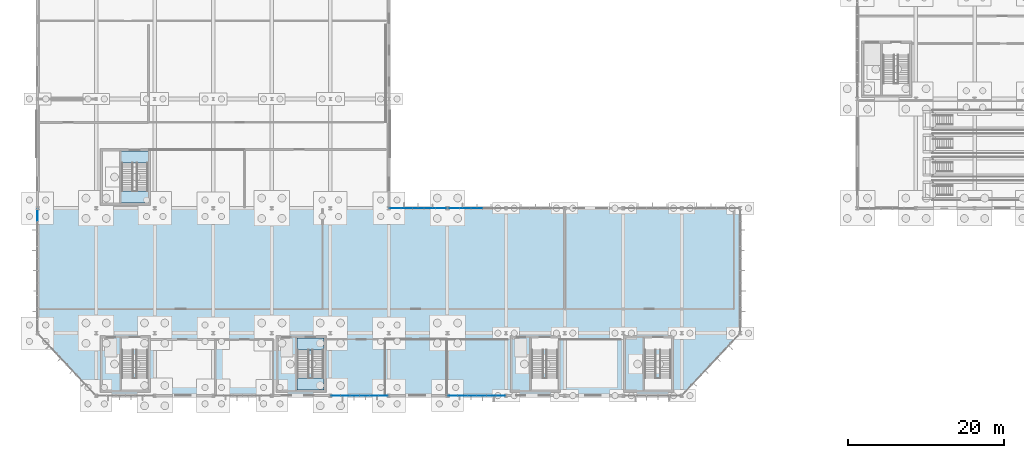
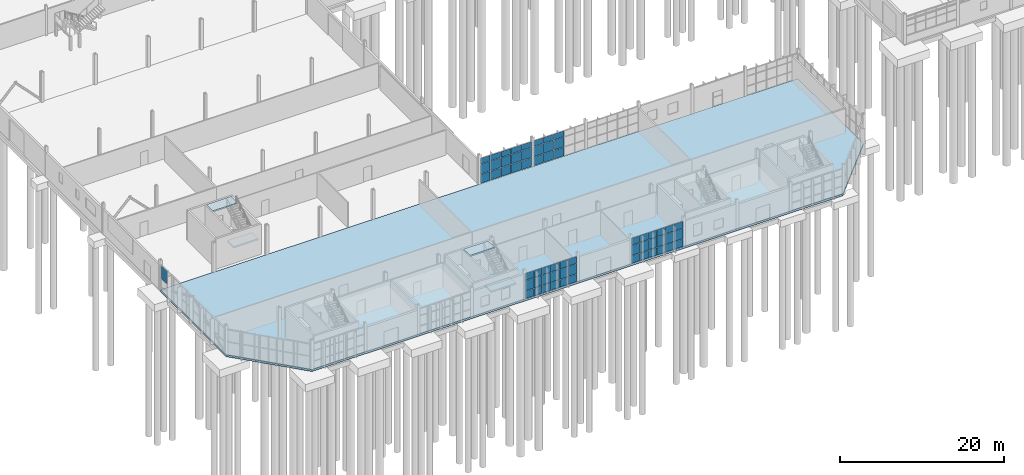
# One storey, part 82 of 136: 61 plates, 5 slabs, 7 elements without a shape of their own.
"""IFC4 building model written with IfcOpenShell, lengths in metres."""

from ifc_helpers import new_model, si_unit, direction, frame, origin, origin_2d, place, context, subcontext, project, spatial, polyline, rectangle, outline, extrude, material, layer, layer_set, type_object, element, aggregate, save


model = new_model("IFC4")

# Units and contexts
model_context = context("Model", 3, precision=1e-05, world=origin(), true_north=direction((0.0, 1.0)))
body_context = subcontext(model_context, "Body", "Model", "MODEL_VIEW")
ifc_project = project(units=[si_unit("LENGTHUNIT", "METRE"), si_unit("AREAUNIT", "SQUARE_METRE"), si_unit("VOLUMEUNIT", "CUBIC_METRE"), si_unit("PLANEANGLEUNIT", "RADIAN"), si_unit("MASSUNIT", "GRAM", prefix="KILO")], contexts=[model_context])

# Site, building, storey
site_placement = place(None, origin())
site = spatial("IfcSite", under=ifc_project, at=site_placement, CompositionType="ELEMENT")
building_placement = place(site_placement, origin())
building = spatial("IfcBuilding", under=site, at=building_placement, Name="Solvenia Promenade Tram Depot", CompositionType="ELEMENT")
storey_placement = place(building_placement, origin())
storey = spatial("IfcBuildingStorey", under=building, at=storey_placement, Name="L00", CompositionType="ELEMENT", Elevation=0.0)

# Curtain wall, plates
ifc_material_1 = material(Name="Anodized aluminium AW-6063 T6", Category="aluminium")
ifc_layer_1 = layer(ifc_material_1, 0.14990234375, Name="Anodized aluminium AW-6063 T6", Category="aluminium")
ifc_layer_set_1 = layer_set([ifc_layer_1], Name="Anodized aluminium AW-6063 T6")
curtain_wall_type_1 = type_object("IfcCurtainWallType", Name="CW-Court-1500", PredefinedType="NOTDEFINED", material=ifc_layer_set_1)
curtain_wall_1_placement = place(storey_placement, origin())
curtain_wall_1 = element("IfcCurtainWall", 1, at=curtain_wall_1_placement, inside=storey, type_object=curtain_wall_type_1, Name="Curtain Wall CW-V4N-L00-07", PredefinedType="NOTDEFINED")
ifc_material_2 = material(Name="Double low-e argon insulated glass", Category="glass")
ifc_layer_2 = layer(ifc_material_2, 0.031982421875, Name="Double low-e argon insulated glass", Category="glass")
ifc_layer_set_2 = layer_set([ifc_layer_2], Name="Double low-e argon insulated glass")
plate_type_1 = type_object("IfcPlateType", Name="CWP-Panel-2", PredefinedType="CURTAIN_PANEL", material=ifc_layer_set_2)
plate_1_placement = place(storey_placement, frame((45.826416015625, 24.0, 0.06494140625), z_axis=(0.0, 0.0, 1.0), x_axis=(1.0, 0.0, 0.0)))
plate_1 = element("IfcPlate", 2, at=plate_1_placement, type_object=plate_type_1, Name="CW-5 panel 1.1", PredefinedType="CURTAIN_PANEL", context=body_context, shape_type="SweptSolid", body=[
    extrude(rectangle(XDim=1.39306640625, YDim=0.031982421875, at=origin_2d()), origin(), (0.0, 0.0, 1.0), 1.302490234375),
])
plate_2_placement = place(storey_placement, frame((45.826416015625, 24.0, 1.432373046875), z_axis=(0.0, 0.0, 1.0), x_axis=(1.0, 0.0, 0.0)))
plate_2 = element("IfcPlate", 3, at=plate_2_placement, type_object=plate_type_1, Name="CW-5 panel 1.2", PredefinedType="CURTAIN_PANEL", context=body_context, shape_type="SweptSolid", body=[
    extrude(rectangle(XDim=1.39306640625, YDim=0.031982421875, at=origin_2d()), origin(), (0.0, 0.0, 1.0), 1.43505859375),
])
plate_3_placement = place(storey_placement, frame((45.826416015625, 24.0, 2.932373046875), z_axis=(0.0, 0.0, 1.0), x_axis=(1.0, 0.0, 0.0)))
plate_3 = element("IfcPlate", 4, at=plate_3_placement, type_object=plate_type_1, Name="CW-5 panel 1.3", PredefinedType="CURTAIN_PANEL", context=body_context, shape_type="SweptSolid", body=[
    extrude(rectangle(XDim=1.39306640625, YDim=0.031982421875, at=origin_2d()), origin(), (0.0, 0.0, 1.0), 0.8525390625),
])
plate_4_placement = place(storey_placement, frame((47.281982421875, 24.0, 0.06494140625), z_axis=(0.0, 0.0, 1.0), x_axis=(1.0, 0.0, 0.0)))
plate_4 = element("IfcPlate", 5, at=plate_4_placement, type_object=plate_type_1, Name="CW-5 panel 2.1", PredefinedType="CURTAIN_PANEL", context=body_context, shape_type="SweptSolid", body=[
    extrude(rectangle(XDim=1.41796875, YDim=0.031982421875, at=origin_2d()), origin(), (0.0, 0.0, 1.0), 1.302490234375),
])
plate_5_placement = place(storey_placement, frame((47.281982421875, 24.0, 1.432373046875), z_axis=(0.0, 0.0, 1.0), x_axis=(1.0, 0.0, 0.0)))
plate_5 = element("IfcPlate", 6, at=plate_5_placement, type_object=plate_type_1, Name="CW-5 panel 2.2", PredefinedType="CURTAIN_PANEL", context=body_context, shape_type="SweptSolid", body=[
    extrude(rectangle(XDim=1.41796875, YDim=0.031982421875, at=origin_2d()), origin(), (0.0, 0.0, 1.0), 1.43505859375),
])
plate_6_placement = place(storey_placement, frame((47.281982421875, 24.0, 2.932373046875), z_axis=(0.0, 0.0, 1.0), x_axis=(1.0, 0.0, 0.0)))
plate_6 = element("IfcPlate", 7, at=plate_6_placement, type_object=plate_type_1, Name="CW-5 panel 2.3", PredefinedType="CURTAIN_PANEL", context=body_context, shape_type="SweptSolid", body=[
    extrude(rectangle(XDim=1.41796875, YDim=0.031982421875, at=origin_2d()), origin(), (0.0, 0.0, 1.0), 0.8525390625),
])
plate_7_placement = place(storey_placement, frame((48.75, 24.0, 0.06494140625), z_axis=(0.0, 0.0, 1.0), x_axis=(1.0, 0.0, 0.0)))
plate_7 = element("IfcPlate", 8, at=plate_7_placement, type_object=plate_type_1, Name="CW-5 panel 3.1", PredefinedType="CURTAIN_PANEL", context=body_context, shape_type="SweptSolid", body=[
    extrude(rectangle(XDim=1.41796875, YDim=0.031982421875, at=origin_2d()), origin(), (0.0, 0.0, 1.0), 1.302490234375),
])
plate_8_placement = place(storey_placement, frame((48.75, 24.0, 1.432373046875), z_axis=(0.0, 0.0, 1.0), x_axis=(1.0, 0.0, 0.0)))
plate_8 = element("IfcPlate", 9, at=plate_8_placement, type_object=plate_type_1, Name="CW-5 panel 3.2", PredefinedType="CURTAIN_PANEL", context=body_context, shape_type="SweptSolid", body=[
    extrude(rectangle(XDim=1.41796875, YDim=0.031982421875, at=origin_2d()), origin(), (0.0, 0.0, 1.0), 1.43505859375),
])
plate_9_placement = place(storey_placement, frame((48.75, 24.0, 2.932373046875), z_axis=(0.0, 0.0, 1.0), x_axis=(1.0, 0.0, 0.0)))
plate_9 = element("IfcPlate", 10, at=plate_9_placement, type_object=plate_type_1, Name="CW-5 panel 3.3", PredefinedType="CURTAIN_PANEL", context=body_context, shape_type="SweptSolid", body=[
    extrude(rectangle(XDim=1.41796875, YDim=0.031982421875, at=origin_2d()), origin(), (0.0, 0.0, 1.0), 0.8525390625),
])
plate_10_placement = place(storey_placement, frame((50.218017578125, 24.0, 0.06494140625), z_axis=(0.0, 0.0, 1.0), x_axis=(1.0, 0.0, 0.0)))
plate_10 = element("IfcPlate", 11, at=plate_10_placement, type_object=plate_type_1, Name="CW-5 panel 4.1", PredefinedType="CURTAIN_PANEL", context=body_context, shape_type="SweptSolid", body=[
    extrude(rectangle(XDim=1.41796875, YDim=0.031982421875, at=origin_2d()), origin(), (0.0, 0.0, 1.0), 1.302490234375),
])
plate_11_placement = place(storey_placement, frame((50.218017578125, 24.0, 1.432373046875), z_axis=(0.0, 0.0, 1.0), x_axis=(1.0, 0.0, 0.0)))
plate_11 = element("IfcPlate", 12, at=plate_11_placement, type_object=plate_type_1, Name="CW-5 panel 4.2", PredefinedType="CURTAIN_PANEL", context=body_context, shape_type="SweptSolid", body=[
    extrude(rectangle(XDim=1.41796875, YDim=0.031982421875, at=origin_2d()), origin(), (0.0, 0.0, 1.0), 1.43505859375),
])
plate_12_placement = place(storey_placement, frame((50.218017578125, 24.0, 2.932373046875), z_axis=(0.0, 0.0, 1.0), x_axis=(1.0, 0.0, 0.0)))
plate_12 = element("IfcPlate", 13, at=plate_12_placement, type_object=plate_type_1, Name="CW-5 panel 4.3", PredefinedType="CURTAIN_PANEL", context=body_context, shape_type="SweptSolid", body=[
    extrude(rectangle(XDim=1.41796875, YDim=0.031982421875, at=origin_2d()), origin(), (0.0, 0.0, 1.0), 0.8525390625),
])
plate_13_placement = place(storey_placement, frame((51.673583984375, 24.0, 0.06494140625), z_axis=(0.0, 0.0, 1.0), x_axis=(1.0, 0.0, 0.0)))
plate_13 = element("IfcPlate", 14, at=plate_13_placement, type_object=plate_type_1, Name="CW-5 panel 5.1", PredefinedType="CURTAIN_PANEL", context=body_context, shape_type="SweptSolid", body=[
    extrude(rectangle(XDim=1.39306640625, YDim=0.031982421875, at=origin_2d()), origin(), (0.0, 0.0, 1.0), 1.302490234375),
])
plate_14_placement = place(storey_placement, frame((51.673583984375, 24.0, 1.432373046875), z_axis=(0.0, 0.0, 1.0), x_axis=(1.0, 0.0, 0.0)))
plate_14 = element("IfcPlate", 15, at=plate_14_placement, type_object=plate_type_1, Name="CW-5 panel 5.2", PredefinedType="CURTAIN_PANEL", context=body_context, shape_type="SweptSolid", body=[
    extrude(rectangle(XDim=1.39306640625, YDim=0.031982421875, at=origin_2d()), origin(), (0.0, 0.0, 1.0), 1.43505859375),
])
plate_15_placement = place(storey_placement, frame((51.673583984375, 24.0, 2.932373046875), z_axis=(0.0, 0.0, 1.0), x_axis=(1.0, 0.0, 0.0)))
plate_15 = element("IfcPlate", 16, at=plate_15_placement, type_object=plate_type_1, Name="CW-5 panel 5.3", PredefinedType="CURTAIN_PANEL", context=body_context, shape_type="SweptSolid", body=[
    extrude(rectangle(XDim=1.39306640625, YDim=0.031982421875, at=origin_2d()), origin(), (0.0, 0.0, 1.0), 0.8525390625),
])
aggregate(curtain_wall_1, [plate_1, plate_2, plate_3, plate_4, plate_5, plate_6, plate_7, plate_8, plate_9, plate_10, plate_11, plate_12, plate_13, plate_14, plate_15])

curtain_wall_2_placement = place(storey_placement, origin())
curtain_wall_2 = element("IfcCurtainWall", 17, at=curtain_wall_2_placement, inside=storey, type_object=curtain_wall_type_1, Name="Curtain Wall CW-V4N-L00-08", PredefinedType="NOTDEFINED")
plate_16_placement = place(storey_placement, frame((53.326416015625, 24.0, 0.06494140625), z_axis=(0.0, 0.0, 1.0), x_axis=(1.0, 0.0, 0.0)))
plate_16 = element("IfcPlate", 18, at=plate_16_placement, type_object=plate_type_1, Name="CW-5 panel 1.1", PredefinedType="CURTAIN_PANEL", context=body_context, shape_type="SweptSolid", body=[
    extrude(rectangle(XDim=1.39306640625, YDim=0.031982421875, at=origin_2d()), origin(), (0.0, 0.0, 1.0), 1.302490234375),
])
plate_17_placement = place(storey_placement, frame((53.326416015625, 24.0, 1.432373046875), z_axis=(0.0, 0.0, 1.0), x_axis=(1.0, 0.0, 0.0)))
plate_17 = element("IfcPlate", 19, at=plate_17_placement, type_object=plate_type_1, Name="CW-5 panel 1.2", PredefinedType="CURTAIN_PANEL", context=body_context, shape_type="SweptSolid", body=[
    extrude(rectangle(XDim=1.39306640625, YDim=0.031982421875, at=origin_2d()), origin(), (0.0, 0.0, 1.0), 1.43505859375),
])
plate_18_placement = place(storey_placement, frame((53.326416015625, 24.0, 2.932373046875), z_axis=(0.0, 0.0, 1.0), x_axis=(1.0, 0.0, 0.0)))
plate_18 = element("IfcPlate", 20, at=plate_18_placement, type_object=plate_type_1, Name="CW-5 panel 1.3", PredefinedType="CURTAIN_PANEL", context=body_context, shape_type="SweptSolid", body=[
    extrude(rectangle(XDim=1.39306640625, YDim=0.031982421875, at=origin_2d()), origin(), (0.0, 0.0, 1.0), 0.8525390625),
])
plate_19_placement = place(storey_placement, frame((54.781982421875, 24.0, 0.06494140625), z_axis=(0.0, 0.0, 1.0), x_axis=(1.0, 0.0, 0.0)))
plate_19 = element("IfcPlate", 21, at=plate_19_placement, type_object=plate_type_1, Name="CW-5 panel 2.1", PredefinedType="CURTAIN_PANEL", context=body_context, shape_type="SweptSolid", body=[
    extrude(rectangle(XDim=1.41796875, YDim=0.031982421875, at=origin_2d()), origin(), (0.0, 0.0, 1.0), 1.302490234375),
])
plate_20_placement = place(storey_placement, frame((54.781982421875, 24.0, 1.432373046875), z_axis=(0.0, 0.0, 1.0), x_axis=(1.0, 0.0, 0.0)))
plate_20 = element("IfcPlate", 22, at=plate_20_placement, type_object=plate_type_1, Name="CW-5 panel 2.2", PredefinedType="CURTAIN_PANEL", context=body_context, shape_type="SweptSolid", body=[
    extrude(rectangle(XDim=1.41796875, YDim=0.031982421875, at=origin_2d()), origin(), (0.0, 0.0, 1.0), 1.43505859375),
])
plate_21_placement = place(storey_placement, frame((54.781982421875, 24.0, 2.932373046875), z_axis=(0.0, 0.0, 1.0), x_axis=(1.0, 0.0, 0.0)))
plate_21 = element("IfcPlate", 23, at=plate_21_placement, type_object=plate_type_1, Name="CW-5 panel 2.3", PredefinedType="CURTAIN_PANEL", context=body_context, shape_type="SweptSolid", body=[
    extrude(rectangle(XDim=1.41796875, YDim=0.031982421875, at=origin_2d()), origin(), (0.0, 0.0, 1.0), 0.8525390625),
])
plate_22_placement = place(storey_placement, frame((56.25, 24.0, 0.06494140625), z_axis=(0.0, 0.0, 1.0), x_axis=(1.0, 0.0, 0.0)))
plate_22 = element("IfcPlate", 24, at=plate_22_placement, type_object=plate_type_1, Name="CW-5 panel 3.1", PredefinedType="CURTAIN_PANEL", context=body_context, shape_type="SweptSolid", body=[
    extrude(rectangle(XDim=1.41796875, YDim=0.031982421875, at=origin_2d()), origin(), (0.0, 0.0, 1.0), 1.302490234375),
])
plate_23_placement = place(storey_placement, frame((56.25, 24.0, 1.432373046875), z_axis=(0.0, 0.0, 1.0), x_axis=(1.0, 0.0, 0.0)))
plate_23 = element("IfcPlate", 25, at=plate_23_placement, type_object=plate_type_1, Name="CW-5 panel 3.2", PredefinedType="CURTAIN_PANEL", context=body_context, shape_type="SweptSolid", body=[
    extrude(rectangle(XDim=1.41796875, YDim=0.031982421875, at=origin_2d()), origin(), (0.0, 0.0, 1.0), 1.43505859375),
])
plate_24_placement = place(storey_placement, frame((56.25, 24.0, 2.932373046875), z_axis=(0.0, 0.0, 1.0), x_axis=(1.0, 0.0, 0.0)))
plate_24 = element("IfcPlate", 26, at=plate_24_placement, type_object=plate_type_1, Name="CW-5 panel 3.3", PredefinedType="CURTAIN_PANEL", context=body_context, shape_type="SweptSolid", body=[
    extrude(rectangle(XDim=1.41796875, YDim=0.031982421875, at=origin_2d()), origin(), (0.0, 0.0, 1.0), 0.8525390625),
])
aggregate(curtain_wall_2, [plate_16, plate_17, plate_18, plate_19, plate_20, plate_21, plate_22, plate_23, plate_24])

ifc_layer_3 = layer(ifc_material_1, 0.179931640625, Name="Anodized aluminium AW-6063 T6", Category="aluminium")
ifc_layer_set_3 = layer_set([ifc_layer_3], Name="Anodized aluminium AW-6063 T6")
curtain_wall_type_2 = type_object("IfcCurtainWallType", Name="CW-Solar-1250", PredefinedType="NOTDEFINED", material=ifc_layer_set_3)
curtain_wall_3_placement = place(storey_placement, origin())
curtain_wall_3 = element("IfcCurtainWall", 27, at=curtain_wall_3_placement, inside=storey, type_object=curtain_wall_type_2, Name="Curtain Wall CW-V4S-L00-05", PredefinedType="NOTDEFINED")
ifc_layer_4 = layer(ifc_material_2, 0.035888671875, Name="Double low-e argon insulated glass", Category="glass")
ifc_layer_set_4 = layer_set([ifc_layer_4], Name="Double low-e argon insulated glass")
plate_type_2 = type_object("IfcPlateType", Name="CWP-Panel-3", PredefinedType="CURTAIN_PANEL", material=ifc_layer_set_4)
plate_25_placement = place(storey_placement, frame((38.20361328125, 0.0, 0.05810546875), z_axis=(0.0, 0.0, 1.0), x_axis=(1.0, 0.0, 0.0)))
plate_25 = element("IfcPlate", 28, at=plate_25_placement, type_object=plate_type_2, Name="CW-6 panel 1.1", PredefinedType="CURTAIN_PANEL", context=body_context, shape_type="SweptSolid", body=[
    extrude(rectangle(XDim=1.1513671875, YDim=0.035888671875, at=origin_2d()), origin(), (0.0, 0.0, 1.0), 1.113037109375),
])
plate_26_placement = place(storey_placement, frame((38.20361328125, 0.0, 1.22900390625), z_axis=(0.0, 0.0, 1.0), x_axis=(1.0, 0.0, 0.0)))
plate_26 = element("IfcPlate", 29, at=plate_26_placement, type_object=plate_type_2, Name="CW-6 panel 1.2", PredefinedType="CURTAIN_PANEL", context=body_context, shape_type="SweptSolid", body=[
    extrude(rectangle(XDim=1.1513671875, YDim=0.035888671875, at=origin_2d()), origin(), (0.0, 0.0, 1.0), 1.491943359375),
])
plate_27_placement = place(storey_placement, frame((38.20361328125, 0.0, 2.77880859375), z_axis=(0.0, 0.0, 1.0), x_axis=(1.0, 0.0, 0.0)))
plate_27 = element("IfcPlate", 30, at=plate_27_placement, type_object=plate_type_2, Name="CW-6 panel 1.3", PredefinedType="CURTAIN_PANEL", context=body_context, shape_type="SweptSolid", body=[
    extrude(rectangle(XDim=1.1513671875, YDim=0.035888671875, at=origin_2d()), origin(), (0.0, 0.0, 1.0), 1.012939453125),
])
plate_28_placement = place(storey_placement, frame((39.4150390625, 0.0, 0.05810546875), z_axis=(0.0, 0.0, 1.0), x_axis=(1.0, 0.0, 0.0)))
plate_28 = element("IfcPlate", 31, at=plate_28_placement, type_object=plate_type_2, Name="CW-6 panel 2.1", PredefinedType="CURTAIN_PANEL", context=body_context, shape_type="SweptSolid", body=[
    extrude(rectangle(XDim=1.17529296875, YDim=0.035888671875, at=origin_2d()), origin(), (0.0, 0.0, 1.0), 1.113037109375),
])
plate_29_placement = place(storey_placement, frame((39.4150390625, 0.0, 1.22900390625), z_axis=(0.0, 0.0, 1.0), x_axis=(1.0, 0.0, 0.0)))
plate_29 = element("IfcPlate", 32, at=plate_29_placement, type_object=plate_type_2, Name="CW-6 panel 2.2", PredefinedType="CURTAIN_PANEL", context=body_context, shape_type="SweptSolid", body=[
    extrude(rectangle(XDim=1.17529296875, YDim=0.035888671875, at=origin_2d()), origin(), (0.0, 0.0, 1.0), 1.491943359375),
])
plate_30_placement = place(storey_placement, frame((39.4150390625, 0.0, 2.77880859375), z_axis=(0.0, 0.0, 1.0), x_axis=(1.0, 0.0, 0.0)))
plate_30 = element("IfcPlate", 33, at=plate_30_placement, type_object=plate_type_2, Name="CW-6 panel 2.3", PredefinedType="CURTAIN_PANEL", context=body_context, shape_type="SweptSolid", body=[
    extrude(rectangle(XDim=1.17529296875, YDim=0.035888671875, at=origin_2d()), origin(), (0.0, 0.0, 1.0), 1.012939453125),
])
plate_31_placement = place(storey_placement, frame((40.638427734375, 0.0, 0.05810546875), z_axis=(0.0, 0.0, 1.0), x_axis=(1.0, 0.0, 0.0)))
plate_31 = element("IfcPlate", 34, at=plate_31_placement, type_object=plate_type_2, Name="CW-6 panel 3.1", PredefinedType="CURTAIN_PANEL", context=body_context, shape_type="SweptSolid", body=[
    extrude(rectangle(XDim=1.17529296875, YDim=0.035888671875, at=origin_2d()), origin(), (0.0, 0.0, 1.0), 1.113037109375),
])
plate_32_placement = place(storey_placement, frame((40.638427734375, 0.0, 1.22900390625), z_axis=(0.0, 0.0, 1.0), x_axis=(1.0, 0.0, 0.0)))
plate_32 = element("IfcPlate", 35, at=plate_32_placement, type_object=plate_type_2, Name="CW-6 panel 3.2", PredefinedType="CURTAIN_PANEL", context=body_context, shape_type="SweptSolid", body=[
    extrude(rectangle(XDim=1.17529296875, YDim=0.035888671875, at=origin_2d()), origin(), (0.0, 0.0, 1.0), 1.491943359375),
])
plate_33_placement = place(storey_placement, frame((40.638427734375, 0.0, 2.77880859375), z_axis=(0.0, 0.0, 1.0), x_axis=(1.0, 0.0, 0.0)))
plate_33 = element("IfcPlate", 36, at=plate_33_placement, type_object=plate_type_2, Name="CW-6 panel 3.3", PredefinedType="CURTAIN_PANEL", context=body_context, shape_type="SweptSolid", body=[
    extrude(rectangle(XDim=1.17529296875, YDim=0.035888671875, at=origin_2d()), origin(), (0.0, 0.0, 1.0), 1.012939453125),
])
plate_34_placement = place(storey_placement, frame((41.861572265625, 0.0, 0.05810546875), z_axis=(0.0, 0.0, 1.0), x_axis=(1.0, 0.0, 0.0)))
plate_34 = element("IfcPlate", 37, at=plate_34_placement, type_object=plate_type_2, Name="CW-6 panel 4.1", PredefinedType="CURTAIN_PANEL", context=body_context, shape_type="SweptSolid", body=[
    extrude(rectangle(XDim=1.17529296875, YDim=0.035888671875, at=origin_2d()), origin(), (0.0, 0.0, 1.0), 1.113037109375),
])
plate_35_placement = place(storey_placement, frame((41.861572265625, 0.0, 1.22900390625), z_axis=(0.0, 0.0, 1.0), x_axis=(1.0, 0.0, 0.0)))
plate_35 = element("IfcPlate", 38, at=plate_35_placement, type_object=plate_type_2, Name="CW-6 panel 4.2", PredefinedType="CURTAIN_PANEL", context=body_context, shape_type="SweptSolid", body=[
    extrude(rectangle(XDim=1.17529296875, YDim=0.035888671875, at=origin_2d()), origin(), (0.0, 0.0, 1.0), 1.491943359375),
])
plate_36_placement = place(storey_placement, frame((41.861572265625, 0.0, 2.77880859375), z_axis=(0.0, 0.0, 1.0), x_axis=(1.0, 0.0, 0.0)))
plate_36 = element("IfcPlate", 39, at=plate_36_placement, type_object=plate_type_2, Name="CW-6 panel 4.3", PredefinedType="CURTAIN_PANEL", context=body_context, shape_type="SweptSolid", body=[
    extrude(rectangle(XDim=1.17529296875, YDim=0.035888671875, at=origin_2d()), origin(), (0.0, 0.0, 1.0), 1.012939453125),
])
plate_37_placement = place(storey_placement, frame((43.0849609375, 0.0, 0.05810546875), z_axis=(0.0, 0.0, 1.0), x_axis=(1.0, 0.0, 0.0)))
plate_37 = element("IfcPlate", 40, at=plate_37_placement, type_object=plate_type_2, Name="CW-6 panel 5.1", PredefinedType="CURTAIN_PANEL", context=body_context, shape_type="SweptSolid", body=[
    extrude(rectangle(XDim=1.17529296875, YDim=0.035888671875, at=origin_2d()), origin(), (0.0, 0.0, 1.0), 1.113037109375),
])
plate_38_placement = place(storey_placement, frame((43.0849609375, 0.0, 1.22900390625), z_axis=(0.0, 0.0, 1.0), x_axis=(1.0, 0.0, 0.0)))
plate_38 = element("IfcPlate", 41, at=plate_38_placement, type_object=plate_type_2, Name="CW-6 panel 5.2", PredefinedType="CURTAIN_PANEL", context=body_context, shape_type="SweptSolid", body=[
    extrude(rectangle(XDim=1.17529296875, YDim=0.035888671875, at=origin_2d()), origin(), (0.0, 0.0, 1.0), 1.491943359375),
])
plate_39_placement = place(storey_placement, frame((43.0849609375, 0.0, 2.77880859375), z_axis=(0.0, 0.0, 1.0), x_axis=(1.0, 0.0, 0.0)))
plate_39 = element("IfcPlate", 42, at=plate_39_placement, type_object=plate_type_2, Name="CW-6 panel 5.3", PredefinedType="CURTAIN_PANEL", context=body_context, shape_type="SweptSolid", body=[
    extrude(rectangle(XDim=1.17529296875, YDim=0.035888671875, at=origin_2d()), origin(), (0.0, 0.0, 1.0), 1.012939453125),
])
plate_40_placement = place(storey_placement, frame((44.29638671875, 0.0, 0.05810546875), z_axis=(0.0, 0.0, 1.0), x_axis=(1.0, 0.0, 0.0)))
plate_40 = element("IfcPlate", 43, at=plate_40_placement, type_object=plate_type_2, Name="CW-6 panel 6.1", PredefinedType="CURTAIN_PANEL", context=body_context, shape_type="SweptSolid", body=[
    extrude(rectangle(XDim=1.1513671875, YDim=0.035888671875, at=origin_2d()), origin(), (0.0, 0.0, 1.0), 1.113037109375),
])
plate_41_placement = place(storey_placement, frame((44.29638671875, 0.0, 1.22900390625), z_axis=(0.0, 0.0, 1.0), x_axis=(1.0, 0.0, 0.0)))
plate_41 = element("IfcPlate", 44, at=plate_41_placement, type_object=plate_type_2, Name="CW-6 panel 6.2", PredefinedType="CURTAIN_PANEL", context=body_context, shape_type="SweptSolid", body=[
    extrude(rectangle(XDim=1.1513671875, YDim=0.035888671875, at=origin_2d()), origin(), (0.0, 0.0, 1.0), 1.491943359375),
])
plate_42_placement = place(storey_placement, frame((44.29638671875, 0.0, 2.77880859375), z_axis=(0.0, 0.0, 1.0), x_axis=(1.0, 0.0, 0.0)))
plate_42 = element("IfcPlate", 45, at=plate_42_placement, type_object=plate_type_2, Name="CW-6 panel 6.3", PredefinedType="CURTAIN_PANEL", context=body_context, shape_type="SweptSolid", body=[
    extrude(rectangle(XDim=1.1513671875, YDim=0.035888671875, at=origin_2d()), origin(), (0.0, 0.0, 1.0), 1.012939453125),
])
aggregate(curtain_wall_3, [plate_25, plate_26, plate_27, plate_28, plate_29, plate_30, plate_31, plate_32, plate_33, plate_34, plate_35, plate_36, plate_37, plate_38, plate_39, plate_40, plate_41, plate_42])

curtain_wall_4_placement = place(storey_placement, origin())
curtain_wall_4 = element("IfcCurtainWall", 46, at=curtain_wall_4_placement, inside=storey, type_object=curtain_wall_type_2, Name="Curtain Wall CW-V4S-L00-07", PredefinedType="NOTDEFINED")
plate_43_placement = place(storey_placement, frame((53.20361328125, 0.0, 0.05810546875), z_axis=(0.0, 0.0, 1.0), x_axis=(1.0, 0.0, 0.0)))
plate_43 = element("IfcPlate", 47, at=plate_43_placement, type_object=plate_type_2, Name="CW-6 panel 1.1", PredefinedType="CURTAIN_PANEL", context=body_context, shape_type="SweptSolid", body=[
    extrude(rectangle(XDim=1.1513671875, YDim=0.035888671875, at=origin_2d()), origin(), (0.0, 0.0, 1.0), 1.113037109375),
])
plate_44_placement = place(storey_placement, frame((53.20361328125, 0.0, 1.22900390625), z_axis=(0.0, 0.0, 1.0), x_axis=(1.0, 0.0, 0.0)))
plate_44 = element("IfcPlate", 48, at=plate_44_placement, type_object=plate_type_2, Name="CW-6 panel 1.2", PredefinedType="CURTAIN_PANEL", context=body_context, shape_type="SweptSolid", body=[
    extrude(rectangle(XDim=1.1513671875, YDim=0.035888671875, at=origin_2d()), origin(), (0.0, 0.0, 1.0), 1.491943359375),
])
plate_45_placement = place(storey_placement, frame((53.20361328125, 0.0, 2.77880859375), z_axis=(0.0, 0.0, 1.0), x_axis=(1.0, 0.0, 0.0)))
plate_45 = element("IfcPlate", 49, at=plate_45_placement, type_object=plate_type_2, Name="CW-6 panel 1.3", PredefinedType="CURTAIN_PANEL", context=body_context, shape_type="SweptSolid", body=[
    extrude(rectangle(XDim=1.1513671875, YDim=0.035888671875, at=origin_2d()), origin(), (0.0, 0.0, 1.0), 1.012939453125),
])
plate_46_placement = place(storey_placement, frame((54.4150390625, 0.0, 0.05810546875), z_axis=(0.0, 0.0, 1.0), x_axis=(1.0, 0.0, 0.0)))
plate_46 = element("IfcPlate", 50, at=plate_46_placement, type_object=plate_type_2, Name="CW-6 panel 2.1", PredefinedType="CURTAIN_PANEL", context=body_context, shape_type="SweptSolid", body=[
    extrude(rectangle(XDim=1.17529296875, YDim=0.035888671875, at=origin_2d()), origin(), (0.0, 0.0, 1.0), 1.113037109375),
])
plate_47_placement = place(storey_placement, frame((54.4150390625, 0.0, 1.22900390625), z_axis=(0.0, 0.0, 1.0), x_axis=(1.0, 0.0, 0.0)))
plate_47 = element("IfcPlate", 51, at=plate_47_placement, type_object=plate_type_2, Name="CW-6 panel 2.2", PredefinedType="CURTAIN_PANEL", context=body_context, shape_type="SweptSolid", body=[
    extrude(rectangle(XDim=1.17529296875, YDim=0.035888671875, at=origin_2d()), origin(), (0.0, 0.0, 1.0), 1.491943359375),
])
plate_48_placement = place(storey_placement, frame((54.4150390625, 0.0, 2.77880859375), z_axis=(0.0, 0.0, 1.0), x_axis=(1.0, 0.0, 0.0)))
plate_48 = element("IfcPlate", 52, at=plate_48_placement, type_object=plate_type_2, Name="CW-6 panel 2.3", PredefinedType="CURTAIN_PANEL", context=body_context, shape_type="SweptSolid", body=[
    extrude(rectangle(XDim=1.17529296875, YDim=0.035888671875, at=origin_2d()), origin(), (0.0, 0.0, 1.0), 1.012939453125),
])
plate_49_placement = place(storey_placement, frame((55.638427734375, 0.0, 0.05810546875), z_axis=(0.0, 0.0, 1.0), x_axis=(1.0, 0.0, 0.0)))
plate_49 = element("IfcPlate", 53, at=plate_49_placement, type_object=plate_type_2, Name="CW-6 panel 3.1", PredefinedType="CURTAIN_PANEL", context=body_context, shape_type="SweptSolid", body=[
    extrude(rectangle(XDim=1.17529296875, YDim=0.035888671875, at=origin_2d()), origin(), (0.0, 0.0, 1.0), 1.113037109375),
])
plate_50_placement = place(storey_placement, frame((55.638427734375, 0.0, 1.22900390625), z_axis=(0.0, 0.0, 1.0), x_axis=(1.0, 0.0, 0.0)))
plate_50 = element("IfcPlate", 54, at=plate_50_placement, type_object=plate_type_2, Name="CW-6 panel 3.2", PredefinedType="CURTAIN_PANEL", context=body_context, shape_type="SweptSolid", body=[
    extrude(rectangle(XDim=1.17529296875, YDim=0.035888671875, at=origin_2d()), origin(), (0.0, 0.0, 1.0), 1.491943359375),
])
plate_51_placement = place(storey_placement, frame((55.638427734375, 0.0, 2.77880859375), z_axis=(0.0, 0.0, 1.0), x_axis=(1.0, 0.0, 0.0)))
plate_51 = element("IfcPlate", 55, at=plate_51_placement, type_object=plate_type_2, Name="CW-6 panel 3.3", PredefinedType="CURTAIN_PANEL", context=body_context, shape_type="SweptSolid", body=[
    extrude(rectangle(XDim=1.17529296875, YDim=0.035888671875, at=origin_2d()), origin(), (0.0, 0.0, 1.0), 1.012939453125),
])
plate_52_placement = place(storey_placement, frame((56.861572265625, 0.0, 0.05810546875), z_axis=(0.0, 0.0, 1.0), x_axis=(1.0, 0.0, 0.0)))
plate_52 = element("IfcPlate", 56, at=plate_52_placement, type_object=plate_type_2, Name="CW-6 panel 4.1", PredefinedType="CURTAIN_PANEL", context=body_context, shape_type="SweptSolid", body=[
    extrude(rectangle(XDim=1.17529296875, YDim=0.035888671875, at=origin_2d()), origin(), (0.0, 0.0, 1.0), 1.113037109375),
])
plate_53_placement = place(storey_placement, frame((56.861572265625, 0.0, 1.22900390625), z_axis=(0.0, 0.0, 1.0), x_axis=(1.0, 0.0, 0.0)))
plate_53 = element("IfcPlate", 57, at=plate_53_placement, type_object=plate_type_2, Name="CW-6 panel 4.2", PredefinedType="CURTAIN_PANEL", context=body_context, shape_type="SweptSolid", body=[
    extrude(rectangle(XDim=1.17529296875, YDim=0.035888671875, at=origin_2d()), origin(), (0.0, 0.0, 1.0), 1.491943359375),
])
plate_54_placement = place(storey_placement, frame((56.861572265625, 0.0, 2.77880859375), z_axis=(0.0, 0.0, 1.0), x_axis=(1.0, 0.0, 0.0)))
plate_54 = element("IfcPlate", 58, at=plate_54_placement, type_object=plate_type_2, Name="CW-6 panel 4.3", PredefinedType="CURTAIN_PANEL", context=body_context, shape_type="SweptSolid", body=[
    extrude(rectangle(XDim=1.17529296875, YDim=0.035888671875, at=origin_2d()), origin(), (0.0, 0.0, 1.0), 1.012939453125),
])
plate_55_placement = place(storey_placement, frame((58.0849609375, 0.0, 0.05810546875), z_axis=(0.0, 0.0, 1.0), x_axis=(1.0, 0.0, 0.0)))
plate_55 = element("IfcPlate", 59, at=plate_55_placement, type_object=plate_type_2, Name="CW-6 panel 5.1", PredefinedType="CURTAIN_PANEL", context=body_context, shape_type="SweptSolid", body=[
    extrude(rectangle(XDim=1.17529296875, YDim=0.035888671875, at=origin_2d()), origin(), (0.0, 0.0, 1.0), 1.113037109375),
])
plate_56_placement = place(storey_placement, frame((58.0849609375, 0.0, 1.22900390625), z_axis=(0.0, 0.0, 1.0), x_axis=(1.0, 0.0, 0.0)))
plate_56 = element("IfcPlate", 60, at=plate_56_placement, type_object=plate_type_2, Name="CW-6 panel 5.2", PredefinedType="CURTAIN_PANEL", context=body_context, shape_type="SweptSolid", body=[
    extrude(rectangle(XDim=1.17529296875, YDim=0.035888671875, at=origin_2d()), origin(), (0.0, 0.0, 1.0), 1.491943359375),
])
plate_57_placement = place(storey_placement, frame((58.0849609375, 0.0, 2.77880859375), z_axis=(0.0, 0.0, 1.0), x_axis=(1.0, 0.0, 0.0)))
plate_57 = element("IfcPlate", 61, at=plate_57_placement, type_object=plate_type_2, Name="CW-6 panel 5.3", PredefinedType="CURTAIN_PANEL", context=body_context, shape_type="SweptSolid", body=[
    extrude(rectangle(XDim=1.17529296875, YDim=0.035888671875, at=origin_2d()), origin(), (0.0, 0.0, 1.0), 1.012939453125),
])
plate_58_placement = place(storey_placement, frame((59.29638671875, 0.0, 0.05810546875), z_axis=(0.0, 0.0, 1.0), x_axis=(1.0, 0.0, 0.0)))
plate_58 = element("IfcPlate", 62, at=plate_58_placement, type_object=plate_type_2, Name="CW-6 panel 6.1", PredefinedType="CURTAIN_PANEL", context=body_context, shape_type="SweptSolid", body=[
    extrude(rectangle(XDim=1.1513671875, YDim=0.035888671875, at=origin_2d()), origin(), (0.0, 0.0, 1.0), 1.113037109375),
])
plate_59_placement = place(storey_placement, frame((59.29638671875, 0.0, 1.22900390625), z_axis=(0.0, 0.0, 1.0), x_axis=(1.0, 0.0, 0.0)))
plate_59 = element("IfcPlate", 63, at=plate_59_placement, type_object=plate_type_2, Name="CW-6 panel 6.2", PredefinedType="CURTAIN_PANEL", context=body_context, shape_type="SweptSolid", body=[
    extrude(rectangle(XDim=1.1513671875, YDim=0.035888671875, at=origin_2d()), origin(), (0.0, 0.0, 1.0), 1.491943359375),
])
plate_60_placement = place(storey_placement, frame((59.29638671875, 0.0, 2.77880859375), z_axis=(0.0, 0.0, 1.0), x_axis=(1.0, 0.0, 0.0)))
plate_60 = element("IfcPlate", 64, at=plate_60_placement, type_object=plate_type_2, Name="CW-6 panel 6.3", PredefinedType="CURTAIN_PANEL", context=body_context, shape_type="SweptSolid", body=[
    extrude(rectangle(XDim=1.1513671875, YDim=0.035888671875, at=origin_2d()), origin(), (0.0, 0.0, 1.0), 1.012939453125),
])
aggregate(curtain_wall_4, [plate_43, plate_44, plate_45, plate_46, plate_47, plate_48, plate_49, plate_50, plate_51, plate_52, plate_53, plate_54, plate_55, plate_56, plate_57, plate_58, plate_59, plate_60])

# Curtain wall, plate
ifc_layer_5 = layer(ifc_material_1, 0.179931640625, Name="Anodized aluminium AW-6063 T6", Category="aluminium")
ifc_layer_set_5 = layer_set([ifc_layer_5], Name="Anodized aluminium AW-6063 T6")
curtain_wall_type_3 = type_object("IfcCurtainWallType", Name="CW-Solar-1500", PredefinedType="NOTDEFINED", material=ifc_layer_set_5)
curtain_wall_5_placement = place(storey_placement, origin())
curtain_wall_5 = element("IfcCurtainWall", 65, at=curtain_wall_5_placement, inside=storey, type_object=curtain_wall_type_3, Name="Curtain Wall CW-V4W-L00", PredefinedType="NOTDEFINED")
plate_61_placement = place(storey_placement, frame((0.0, 23.052978515625, 1.8291015625), z_axis=(0.0, 0.0, 1.0), x_axis=(0.0, 1.0, 0.0)))
plate_61 = element("IfcPlate", 66, at=plate_61_placement, type_object=plate_type_2, Name="CW-7 panel 10.2", PredefinedType="CURTAIN_PANEL", context=body_context, shape_type="SweptSolid", body=[
    extrude(rectangle(XDim=1.498046875, YDim=0.035888671875, at=origin_2d()), origin(), (0.0, 0.0, 1.0), 1.962890625),
])
aggregate(curtain_wall_5, [plate_61])

# Slab
ifc_material_3 = material(Name="Concrete C28/35", Category="concrete")
ifc_layer_6 = layer(ifc_material_3, 0.300048828125, Name="Concrete C28/35", Category="concrete")
ifc_layer_set_6 = layer_set([ifc_layer_6], Name="Concrete C28/35")
slab_type_1 = type_object("IfcSlabType", Name="Slab-Base-300", PredefinedType="BASESLAB", material=ifc_layer_set_6)
slab_1_placement = place(storey_placement, frame((0.0, 0.0, -0.300048828125)))
element("IfcSlab", 67, at=slab_1_placement, inside=storey, type_object=slab_type_1, Name="L00 V4 Structural Slab", PredefinedType="BASESLAB", context=body_context, shape_type="SweptSolid", body=[
    extrude(outline(polyline([(7.5, 0.0), (82.5, 0.0), (90.0, 8.0), (90.0, 24.0), (0.0, 24.0), (0.0, 8.0), (7.5, 0.0)])), origin(), (0.0, 0.0, 1.0), 0.300048828125),
])

# Stair, slabs
stair_type_1 = type_object("IfcStairType", Name="Stair-Core-1400", PredefinedType="TWO_STRAIGHT_RUN_STAIR", material=ifc_material_3)
stair_1_placement = place(storey_placement, origin())
stair_1 = element("IfcStair", 68, at=stair_1_placement, inside=storey, type_object=stair_type_1, Name="Enclosed Exit Stair ST-07-L00", PredefinedType="TWO_STRAIGHT_RUN_STAIR")
ifc_layer_7 = layer(ifc_material_3, 0.215087890625, Name="Concrete C28/35", Category="concrete")
ifc_layer_set_7 = layer_set([ifc_layer_7], Name="Concrete C28/35")
slab_type_2 = type_object("IfcSlabType", Name="Slab-Landing-215", PredefinedType="LANDING", material=ifc_layer_set_7)
slab_2_placement = place(storey_placement, frame((0.0, 0.0, 2.034912109375)))
slab_2 = element("IfcSlab", 69, at=slab_2_placement, type_object=slab_type_2, Name="ST-07-L00 landing 1", PredefinedType="LANDING", context=body_context, shape_type="SweptSolid", body=[
    extrude(outline(polyline([(10.699951171875, 24.64990234375), (14.199951171875, 24.64990234375), (14.199951171875, 26.2099609375), (10.699951171875, 26.2099609375), (10.699951171875, 24.64990234375)])), origin(), (0.0, 0.0, 1.0), 0.215087890625),
])
slab_3_placement = place(storey_placement, frame((0.0, 0.0, 4.284912109375)))
slab_3 = element("IfcSlab", 70, at=slab_3_placement, type_object=slab_type_2, Name="ST-07-L00 landing 2", PredefinedType="LANDING", context=body_context, shape_type="SweptSolid", body=[
    extrude(outline(polyline([(10.699951171875, 29.7900390625), (14.199951171875, 29.7900390625), (14.199951171875, 31.35009765625), (10.699951171875, 31.35009765625), (10.699951171875, 29.7900390625)])), origin(), (0.0, 0.0, 1.0), 0.215087890625),
])
aggregate(stair_1, [slab_2, slab_3])

stair_type_2 = type_object("IfcStairType", Name="Stair-Core-1460", PredefinedType="TWO_STRAIGHT_RUN_STAIR", material=ifc_material_3)
stair_2_placement = place(storey_placement, origin())
stair_2 = element("IfcStair", 71, at=stair_2_placement, inside=storey, type_object=stair_type_2, Name="Enclosed Exit Stair ST-02-L00", PredefinedType="TWO_STRAIGHT_RUN_STAIR")
ifc_layer_8 = layer(ifc_material_3, 0.22509765625, Name="Concrete C28/35", Category="concrete")
ifc_layer_set_8 = layer_set([ifc_layer_8], Name="Concrete C28/35")
slab_type_3 = type_object("IfcSlabType", Name="Slab-Landing-225", PredefinedType="LANDING", material=ifc_layer_set_8)
slab_4_placement = place(storey_placement, frame((0.0, 0.0, 2.02490234375)))
slab_4 = element("IfcSlab", 72, at=slab_4_placement, type_object=slab_type_3, Name="ST-02-L00 landing 1", PredefinedType="LANDING", context=body_context, shape_type="SweptSolid", body=[
    extrude(outline(polyline([(33.199951171875, 0.699951171875), (36.699951171875, 0.699951171875), (36.699951171875, 2.260009765625), (33.199951171875, 2.260009765625), (33.199951171875, 0.699951171875)])), origin(), (0.0, 0.0, 1.0), 0.22509765625),
])
slab_5_placement = place(storey_placement, frame((0.0, 0.0, 4.27490234375)))
slab_5 = element("IfcSlab", 73, at=slab_5_placement, type_object=slab_type_3, Name="ST-02-L00 landing 2", PredefinedType="LANDING", context=body_context, shape_type="SweptSolid", body=[
    extrude(outline(polyline([(33.199951171875, 5.840087890625), (36.699951171875, 5.840087890625), (36.699951171875, 7.39990234375), (33.199951171875, 7.39990234375), (33.199951171875, 5.840087890625)])), origin(), (0.0, 0.0, 1.0), 0.22509765625),
])
aggregate(stair_2, [slab_4, slab_5])

save(model, "model.ifc")
